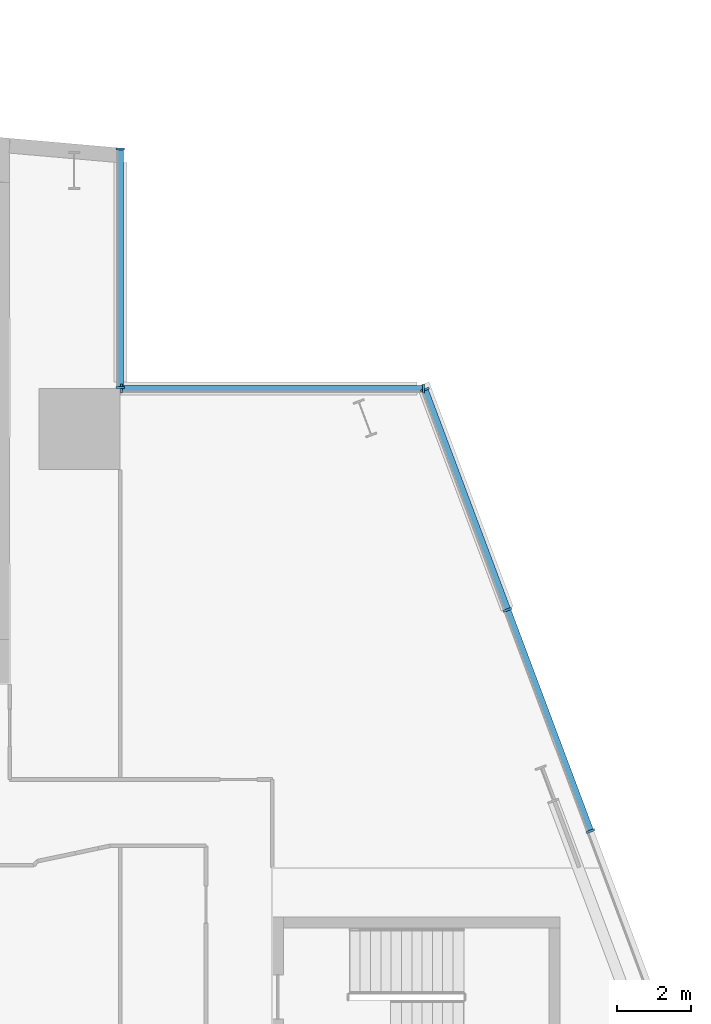
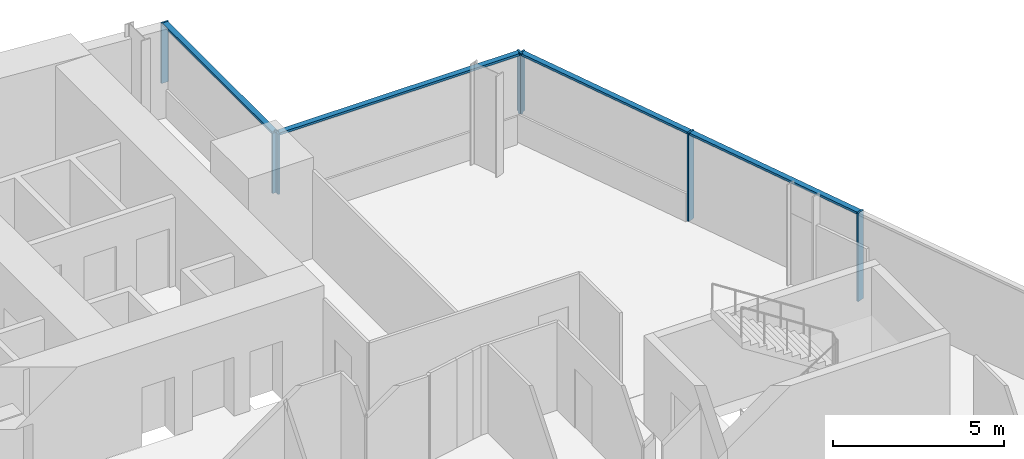
# One storey, part 10 of 24: 11 members, 3 elements without a shape of their own.
"""IFC4 building model written with IfcOpenShell, lengths in metres."""

import ifcopenshell
import ifcopenshell.guid

model = None  # the IFC model being written
_history = None  # IfcOwnerHistory: only IFC2X3 demands one
_inside = {}  # id of a spatial element -> (the spatial element, [elements in it])
_under = {}  # id of a project, library or spatial element -> (it, [spatial elements below it])
_declared = {}  # id of a project -> (the project, [libraries it declares])
_typed = {}  # id of a type object -> (the type object, [elements of that type])
_made_of = {}  # id of a material, layer set ... -> (it, [elements and type objects made of it])


def new_model(schema):
    """Start an empty IFC model of exactly this schema.

    Asked for "IFC4X3", IfcOpenShell would pick the latest addendum, in which some entities
    have other attributes; the version numbers below select the first issue.
    IFC2X3 requires an IfcOwnerHistory on every rooted entity: one is made here for all.
    """
    global model, _history
    if schema == "IFC4X3":
        model = ifcopenshell.file(schema_version=(4, 3, 0, 0))
    else:
        model = ifcopenshell.file(schema=schema)
    _inside.clear()
    _under.clear()
    _declared.clear()
    _typed.clear()
    _made_of.clear()
    _history = None
    if model.schema == "IFC2X3":
        org = make("IfcOrganization", Name="unknown")
        user = make(
            "IfcPersonAndOrganization",
            ThePerson=make("IfcPerson", FamilyName="unknown"),
            TheOrganization=org,
        )
        app = make(
            "IfcApplication",
            ApplicationDeveloper=org,
            Version="unknown",
            ApplicationFullName="unknown",
            ApplicationIdentifier="unknown",
        )
        _history = make(
            "IfcOwnerHistory",
            OwningUser=user,
            OwningApplication=app,
            ChangeAction="ADDED",
            CreationDate=0,
        )
    return model


def make(cls, **values):
    """One entity of the class cls with the attributes given. An attribute that is None is left unset."""
    return model.create_entity(
        cls, **{name: value for name, value in values.items() if value is not None}
    )


def rooted(cls, **values):
    """An entity with a GlobalId (a new one), such as an element, a storey or a relation."""
    return make(cls, GlobalId=ifcopenshell.guid.new(), OwnerHistory=_history, **values)


def si_unit(unit_type, name, prefix=None):
    """IfcSIUnit, for example si_unit("LENGTHUNIT", "METRE", prefix="MILLI")."""
    return make("IfcSIUnit", UnitType=unit_type, Prefix=prefix, Name=name)


def assignment(units):
    """IfcUnitAssignment: the units of a project."""
    return None if units is None else make("IfcUnitAssignment", Units=units)


def point(xyz):
    """IfcCartesianPoint."""
    return None if xyz is None else make("IfcCartesianPoint", Coordinates=xyz)


def direction(xyz):
    """IfcDirection."""
    return None if xyz is None else make("IfcDirection", DirectionRatios=xyz)


def frame(location, z_axis=None, x_axis=None):
    """IfcAxis2Placement3D, a coordinate frame: its origin and axes. An axis left out is left unset."""
    return make(
        "IfcAxis2Placement3D",
        Location=point(location),
        Axis=direction(z_axis),
        RefDirection=direction(x_axis),
    )


def frame_2d(location, x_axis=None):
    """IfcAxis2Placement2D, a coordinate frame in the plane: its origin and x axis."""
    return make(
        "IfcAxis2Placement2D", Location=point(location), RefDirection=direction(x_axis)
    )


def origin():
    """The frame at (0, 0, 0) with its axes left unset."""
    return frame((0.0, 0.0, 0.0))


def origin_2d():
    """The frame at (0, 0) in the plane with its x axis left unset."""
    return frame_2d((0.0, 0.0))


def place(relative_to, where):
    """IfcLocalPlacement: puts the frame where relative to a parent placement (None: the world)."""
    return make(
        "IfcLocalPlacement", PlacementRelTo=relative_to, RelativePlacement=where
    )


def context(
    kind, dimensions, precision=None, world=None, true_north=None, identifier=None
):
    """IfcGeometricRepresentationContext, for example the 3D "Model" context."""
    return make(
        "IfcGeometricRepresentationContext",
        ContextIdentifier=identifier,
        ContextType=kind,
        CoordinateSpaceDimension=dimensions,
        Precision=precision,
        WorldCoordinateSystem=world,
        TrueNorth=true_north,
    )


def subcontext(parent, identifier, kind, view, scale=None):
    """IfcGeometricRepresentationSubContext, for example "Body" below "Model"."""
    return make(
        "IfcGeometricRepresentationSubContext",
        ContextIdentifier=identifier,
        ContextType=kind,
        ParentContext=parent,
        TargetScale=scale,
        TargetView=view,
    )


def project(units=None, contexts=None):
    """IfcProject with its units and contexts."""
    return rooted(
        "IfcProject",
        Name="project",
        RepresentationContexts=contexts,
        UnitsInContext=assignment(units),
    )


def spatial(cls, under=None, at=None, **own):
    """A site, building, storey or space (cls), placed at a placement, below another one or the project."""
    s = rooted(cls, ObjectPlacement=at, **own)
    if under is not None:
        _under.setdefault(under.id(), (under, []))[1].append(s)
    return s


def profile(cls, at=None, kind="AREA", **sizes):
    """A parametric profile (cls). Its sizes go by their IFC names, for example OverallWidth=200.0."""
    return make(cls, ProfileType=kind, Position=at, **sizes)


def rectangle(**sizes):
    """IfcRectangleProfileDef."""
    return profile("IfcRectangleProfileDef", **sizes)


def extrude(swept, where, along, depth):
    """IfcExtrudedAreaSolid: the profile swept, set in the frame where, extruded along a direction by depth."""
    return make(
        "IfcExtrudedAreaSolid",
        SweptArea=swept,
        Position=where,
        ExtrudedDirection=direction(along),
        Depth=depth,
    )


def shape(context_of_items, identifier, shape_type, items):
    """IfcShapeRepresentation: the items that make up one representation, for example the "Body"."""
    return make(
        "IfcShapeRepresentation",
        ContextOfItems=context_of_items,
        RepresentationIdentifier=identifier,
        RepresentationType=shape_type,
        Items=items,
    )


def material(Name=None, Category=None):
    """IfcMaterial."""
    return make("IfcMaterial", Name=Name, Category=Category)


def material_profile(
    of_material, cross_section, Name=None, Category=None, Priority=None
):
    """IfcMaterialProfile: a cross section and its material."""
    return make(
        "IfcMaterialProfile",
        Name=Name,
        Material=of_material,
        Profile=cross_section,
        Priority=Priority,
        Category=Category,
    )


def profile_set(profiles, Name=None, composite=None):
    """IfcMaterialProfileSet."""
    return make(
        "IfcMaterialProfileSet",
        Name=Name,
        MaterialProfiles=profiles,
        CompositeProfile=composite,
    )


def made_of(thing, what):
    """Note that an element or type object is made of a material, layer set ...; save() writes the relation."""
    if what is not None:
        _made_of.setdefault(what.id(), (what, []))[1].append(thing)
    return thing


def type_object(cls, material=None, **own):
    """A type object (cls), such as IfcWallType, which elements share."""
    return made_of(rooted(cls, **own), material)


def element(
    cls,
    number,
    at=None,
    inside=None,
    cuts=None,
    type_object=None,
    material=None,
    context=None,
    identifier="Body",
    shape_type=None,
    held_by="IfcProductDefinitionShape",
    body=None,
    shapes=None,
    **own,
):
    """One element of the class cls, such as IfcWall. Its Tag is "e" and its number.

    at: its placement. inside: the storey or other place that contains it. cuts: it is an
    opening in that element (IfcRelVoidsElement). A single representation is given by context,
    identifier, shape_type and body (its items); several are given by shapes. held_by: the class
    of the entity that holds the representations. save() writes the other relations.
    """
    e = rooted(cls, Tag="e%d" % number, ObjectPlacement=at, **own)
    if body is not None:
        shapes = [shape(context, identifier, shape_type, body)]
    if shapes is not None:
        e.Representation = make(held_by, Representations=shapes)
    if inside is not None:
        _inside.setdefault(inside.id(), (inside, []))[1].append(e)
    if cuts is not None:
        rooted(
            "IfcRelVoidsElement", RelatingBuildingElement=cuts, RelatedOpeningElement=e
        )
    if type_object is not None:
        _typed.setdefault(type_object.id(), (type_object, []))[1].append(e)
    return made_of(e, material)


def aggregate(whole, parts):
    """IfcRelAggregates: a whole, such as a stair, and the parts it consists of."""
    return rooted("IfcRelAggregates", RelatingObject=whole, RelatedObjects=parts)


def save(model, path):
    """Write the relations noted so far, then the file.

    IfcRelAggregates (storeys below a building ...), IfcRelContainedInSpatialStructure (elements
    in a storey), IfcRelDefinesByType, IfcRelAssociatesMaterial and IfcRelDeclares: one each for
    every whole, place, type object, material and project.
    """
    for whole, parts in _under.values():
        aggregate(whole, parts)
    for where, things in _inside.values():
        rooted(
            "IfcRelContainedInSpatialStructure",
            RelatedElements=things,
            RelatingStructure=where,
        )
    for kind, things in _typed.values():
        rooted("IfcRelDefinesByType", RelatedObjects=things, RelatingType=kind)
    for what, things in _made_of.values():
        rooted("IfcRelAssociatesMaterial", RelatedObjects=things, RelatingMaterial=what)
    for by, libraries in _declared.values():
        rooted("IfcRelDeclares", RelatingContext=by, RelatedDefinitions=libraries)
    model.write(path)


model = new_model("IFC4")

# Units and contexts
model_context = context("Model", 3, precision=1e-05, world=origin(), true_north=direction((0.0, 1.0)))
body_context = subcontext(model_context, "Body", "Model", "MODEL_VIEW")
ifc_project = project(units=[si_unit("LENGTHUNIT", "METRE"), si_unit("AREAUNIT", "SQUARE_METRE"), si_unit("VOLUMEUNIT", "CUBIC_METRE"), si_unit("PLANEANGLEUNIT", "RADIAN"), si_unit("MASSUNIT", "GRAM", prefix="KILO")], contexts=[model_context])

# Site, building, storey
site_placement = place(None, origin())
site = spatial("IfcSite", under=ifc_project, at=site_placement, CompositionType="ELEMENT")
building_placement = place(site_placement, origin())
building = spatial("IfcBuilding", under=site, at=building_placement, Name="Wharfspan Tower", CompositionType="ELEMENT")
storey_placement = place(building_placement, frame((0.0, 0.0, 88.300049)))
storey = spatial("IfcBuildingStorey", under=building, at=storey_placement, Name="L19", CompositionType="ELEMENT", Elevation=88.300049)

# Curtain wall, members
ifc_material = material(Name="Aluminium 6063-T6", Category="aluminium")
curtain_wall_type = type_object("IfcCurtainWallType", Name="CURTAIN WALL PROW AND END", PredefinedType="NOTDEFINED", material=ifc_material)
curtain_wall_1_placement = place(storey_placement, origin())
curtain_wall_1 = element("IfcCurtainWall", 1, at=curtain_wall_1_placement, inside=storey, type_object=curtain_wall_type, Name="Curtain wall E", PredefinedType="NOTDEFINED")
ifc_material_profile_1 = material_profile(ifc_material, rectangle(XDim=0.23999, YDim=0.060059, at=origin_2d()))
ifc_profile_set_1 = profile_set([ifc_material_profile_1], Name="Aluminium 6063-T6")
member_type_1 = type_object("IfcMemberType", Name="MULLION PROW AND END 60x240", PredefinedType="MULLION", material=ifc_profile_set_1)
member_1_placement = place(storey_placement, frame((80.75, 30.0, 0.0), z_axis=(0.0, 0.0, 1.0), x_axis=(-0.936328, -0.351123, 0.0)))
member_1 = element("IfcMember", 2, at=member_1_placement, type_object=member_type_1, Name="Curtain wall E mullion 6", PredefinedType="MULLION", context=body_context, shape_type="SweptSolid", body=[
    extrude(rectangle(XDim=0.23999, YDim=0.060059, at=origin_2d()), origin(), (0.0, 0.0, 1.0), 3.149902),
])
member_2_placement = place(storey_placement, frame((78.5, 36.0, 0.0), z_axis=(0.0, 0.0, 1.0), x_axis=(-0.936328, -0.351123, 0.0)))
member_2 = element("IfcMember", 3, at=member_2_placement, type_object=member_type_1, Name="Curtain wall E mullion 7", PredefinedType="MULLION", context=body_context, shape_type="SweptSolid", body=[
    extrude(rectangle(XDim=0.23999, YDim=0.060059, at=origin_2d()), origin(), (0.0, 0.0, 1.0), 3.149902),
])
member_3_placement = place(storey_placement, frame((76.260498, 41.971924, 1.0), z_axis=(0.0, 0.0, 1.0), x_axis=(-0.936328, -0.351123, 0.0)))
member_3 = element("IfcMember", 4, at=member_3_placement, type_object=member_type_1, Name="Curtain wall E mullion 8", PredefinedType="MULLION", context=body_context, shape_type="SweptSolid", body=[
    extrude(rectangle(XDim=0.23999, YDim=0.060059, at=origin_2d()), origin(), (0.0, 0.0, 1.0), 2.149902),
])

curtain_wall_2_placement = place(storey_placement, origin())
curtain_wall_2 = element("IfcCurtainWall", 5, at=curtain_wall_2_placement, inside=storey, type_object=curtain_wall_type, Name="Curtain wall NRE-H", PredefinedType="NOTDEFINED")
member_4_placement = place(storey_placement, frame((76.219971, 42.0, 1.0), z_axis=(0.0, 0.0, 1.0), x_axis=(0.0, -1.0, 0.0)))
member_4 = element("IfcMember", 6, at=member_4_placement, type_object=member_type_1, Name="Curtain wall NRE-H mullion 1", PredefinedType="MULLION", context=body_context, shape_type="SweptSolid", body=[
    extrude(rectangle(XDim=0.23999, YDim=0.060059, at=origin_2d()), origin(), (0.0, 0.0, 1.0), 2.149902),
])
member_5_placement = place(storey_placement, frame((68.030029, 42.0, 1.0), z_axis=(0.0, 0.0, 1.0), x_axis=(0.0, -1.0, 0.0)))
member_5 = element("IfcMember", 7, at=member_5_placement, type_object=member_type_1, Name="Curtain wall NRE-H mullion 2", PredefinedType="MULLION", context=body_context, shape_type="SweptSolid", body=[
    extrude(rectangle(XDim=0.23999, YDim=0.060059, at=origin_2d()), origin(), (0.0, 0.0, 1.0), 2.149902),
])

curtain_wall_3_placement = place(storey_placement, origin())
curtain_wall_3 = element("IfcCurtainWall", 8, at=curtain_wall_3_placement, inside=storey, type_object=curtain_wall_type, Name="Curtain wall NRE-V", PredefinedType="NOTDEFINED")
member_6_placement = place(storey_placement, frame((68.0, 42.030029, 1.0), z_axis=(0.0, 0.0, 1.0), x_axis=(-1.0, 0.0, 0.0)))
member_6 = element("IfcMember", 9, at=member_6_placement, type_object=member_type_1, Name="Curtain wall NRE-V mullion 1", PredefinedType="MULLION", context=body_context, shape_type="SweptSolid", body=[
    extrude(rectangle(XDim=0.23999, YDim=0.060059, at=origin_2d()), origin(), (0.0, 0.0, 1.0), 2.149902),
])
member_7_placement = place(storey_placement, frame((68.0, 48.494873, 1.0), z_axis=(0.0, 0.0, 1.0), x_axis=(-1.0, 0.0, 0.0)))
member_7 = element("IfcMember", 10, at=member_7_placement, type_object=member_type_1, Name="Curtain wall NRE-V mullion 2", PredefinedType="MULLION", context=body_context, shape_type="SweptSolid", body=[
    extrude(rectangle(XDim=0.23999, YDim=0.060059, at=origin_2d()), origin(), (0.0, 0.0, 1.0), 2.149902),
])

# Member
ifc_material_profile_2 = material_profile(ifc_material, rectangle(XDim=0.179932, YDim=0.080078, at=origin_2d()))
ifc_profile_set_2 = profile_set([ifc_material_profile_2], Name="Aluminium 6063-T6")
member_type_2 = type_object("IfcMemberType", Name="TRANSOM PROW AND END 80x180", PredefinedType="USERDEFINED", material=ifc_profile_set_2)
member_8_placement = place(storey_placement, frame((80.739502, 30.028076, 3.109863), z_axis=(-0.351132, 0.936326, 0.0), x_axis=(-0.936326, -0.351132, 0.0)))
member_8 = element("IfcMember", 11, at=member_8_placement, type_object=member_type_2, Name="Curtain wall E transom 6", ObjectType="TRANSOM", PredefinedType="USERDEFINED", context=body_context, shape_type="SweptSolid", body=[
    extrude(rectangle(XDim=0.179932, YDim=0.080078, at=origin_2d()), origin(), (0.0, 0.0, 1.0), 6.348145),
])

member_9_placement = place(storey_placement, frame((78.489502, 36.028076, 3.109863), z_axis=(-0.351136, 0.936324, 0.0), x_axis=(-0.936324, -0.351136, 0.0)))
member_9 = element("IfcMember", 12, at=member_9_placement, type_object=member_type_2, Name="Curtain wall E transom 7", ObjectType="TRANSOM", PredefinedType="USERDEFINED", context=body_context, shape_type="SweptSolid", body=[
    extrude(rectangle(XDim=0.179932, YDim=0.080078, at=origin_2d()), origin(), (0.0, 0.0, 1.0), 6.318115),
])

aggregate(curtain_wall_1, [member_1, member_2, member_3, member_8, member_9])

member_10_placement = place(storey_placement, frame((76.189941, 42.0, 3.109863), z_axis=(-1.0, 0.0, 0.0), x_axis=(0.0, -1.0, 0.0)))
member_10 = element("IfcMember", 13, at=member_10_placement, type_object=member_type_2, Name="Curtain wall NRE-H transom 1", ObjectType="TRANSOM", PredefinedType="USERDEFINED", context=body_context, shape_type="SweptSolid", body=[
    extrude(rectangle(XDim=0.179932, YDim=0.080078, at=origin_2d()), origin(), (0.0, 0.0, 1.0), 8.129883),
])

aggregate(curtain_wall_2, [member_4, member_5, member_10])

member_11_placement = place(storey_placement, frame((68.0, 42.060059, 3.109863), z_axis=(0.0, 1.0, 0.0), x_axis=(-1.0, 0.0, 0.0)))
member_11 = element("IfcMember", 14, at=member_11_placement, type_object=member_type_2, Name="Curtain wall NRE-V transom 1", ObjectType="TRANSOM", PredefinedType="USERDEFINED", context=body_context, shape_type="SweptSolid", body=[
    extrude(rectangle(XDim=0.179932, YDim=0.080078, at=origin_2d()), origin(), (0.0, 0.0, 1.0), 6.404785),
])

aggregate(curtain_wall_3, [member_6, member_7, member_11])

save(model, "model.ifc")
